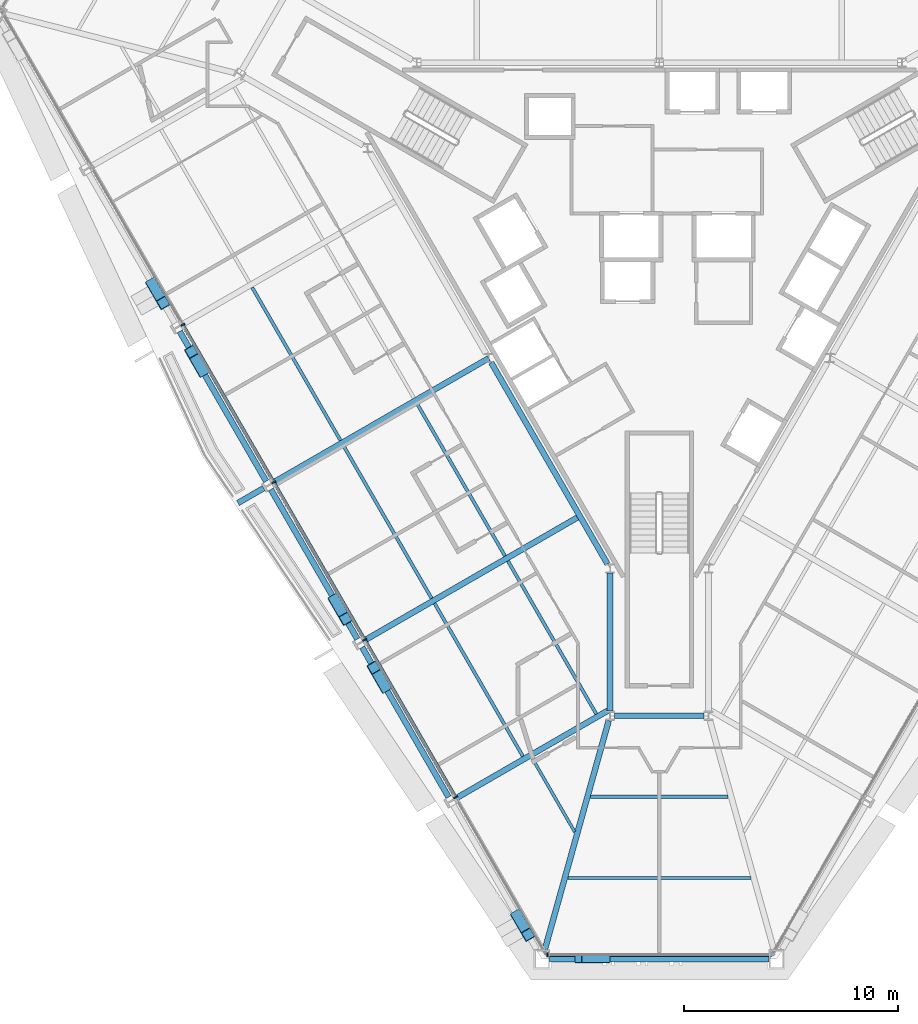
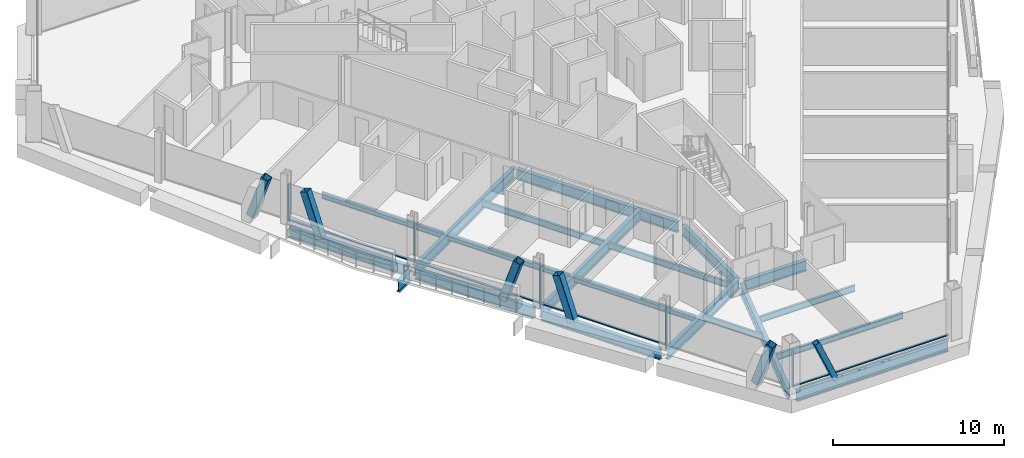
# One storey, part 3 of 18: 20 beams, 15 members, 2 elements without a shape of their own.
"""IFC4 building model written with IfcOpenShell, lengths in metres."""

from ifc_helpers import new_model, si_unit, direction, frame, origin, origin_2d, place, context, subcontext, project, spatial, rectangle, hollow_rectangle, i_section, extrude, material, material_profile, profile_set, type_object, element, aggregate, save


model = new_model("IFC4")

# Units and contexts
model_context = context("Model", 3, precision=1e-05, world=origin(), true_north=direction((0.0, 1.0)))
body_context = subcontext(model_context, "Body", "Model", "MODEL_VIEW")
ifc_project = project(units=[si_unit("LENGTHUNIT", "METRE"), si_unit("AREAUNIT", "SQUARE_METRE"), si_unit("VOLUMEUNIT", "CUBIC_METRE"), si_unit("PLANEANGLEUNIT", "RADIAN"), si_unit("MASSUNIT", "GRAM", prefix="KILO")], contexts=[model_context])

# Site, building, storey
site_placement = place(None, origin())
site = spatial("IfcSite", under=ifc_project, at=site_placement, CompositionType="ELEMENT")
building_placement = place(site_placement, origin())
building = spatial("IfcBuilding", under=site, at=building_placement, Name="Verrane Prism Tower", CompositionType="ELEMENT")
storey_placement = place(building_placement, frame((0.0, 0.0, 54.800048828125)))
storey = spatial("IfcBuildingStorey", under=building, at=storey_placement, Name="L11", CompositionType="ELEMENT", Elevation=54.800048828125)

# Member
ifc_material_1 = material(Name="Steel A500 Grade C", Category="steel")
ifc_material_profile_1 = material_profile(ifc_material_1, hollow_rectangle(XDim=0.355712890625, YDim=0.355712890625, WallThickness=0.0126953125, InnerFilletRadius=0.00634765625, OuterFilletRadius=0.01904296875, at=origin_2d()), Name="HSS14x14x1/2")
ifc_profile_set_1 = profile_set([ifc_material_profile_1], Name="Steel A500 Grade C")
member_type_1 = type_object("IfcMemberType", Name="Chamfer brace HSS14x14x1/2", PredefinedType="BRACE", material=ifc_profile_set_1)
member_1_placement = place(storey_placement, frame((-2.473876953125, -32.659912109375, -0.2451171875), z_axis=(-0.398207964627, 0.0, 0.91729516346), x_axis=(0.0, -1.0, 0.0)))
element("IfcMember", 1, at=member_1_placement, inside=storey, type_object=member_type_1, Name="Chamfer brace S0 L11", PredefinedType="BRACE", context=body_context, shape_type="SweptSolid", body=[
    extrude(hollow_rectangle(XDim=0.355712890625, YDim=0.355712890625, WallThickness=0.0126953125, InnerFilletRadius=0.00634765625, OuterFilletRadius=0.01904296875, at=origin_2d()), origin(), (0.0, 0.0, 1.0), 3.27392578125),
])

# Beams
ifc_material_2 = material(Name="Steel A992", Category="steel")
ifc_material_profile_2 = material_profile(ifc_material_2, i_section(OverallWidth=0.2666015625, OverallDepth=0.76708984375, WebThickness=0.014892578125, FlangeThickness=0.023681640625, FilletRadius=0.0166015625, at=origin_2d()), Name="W30x124")
ifc_profile_set_2 = profile_set([ifc_material_profile_2], Name="Steel A992")
beam_type_1 = type_object("IfcBeamType", Name="Chamfer spandrel beam W30x124", PredefinedType="SPANDREL", material=ifc_profile_set_2)
beam_1_placement = place(storey_placement, frame((-5.1201171875, -32.659912109375, -0.54345703125), z_axis=(1.0, 0.0, 0.0), x_axis=(0.0, 1.0, 0.0)))
element("IfcBeam", 2, at=beam_1_placement, inside=storey, type_object=beam_type_1, Name="Chamfer spandrel beam L11", PredefinedType="SPANDREL", context=body_context, shape_type="SweptSolid", body=[
    extrude(i_section(OverallWidth=0.2666015625, OverallDepth=0.76708984375, WebThickness=0.014892578125, FlangeThickness=0.023681640625, FilletRadius=0.0166015625, at=origin_2d()), origin(), (0.0, 0.0, 1.0), 10.240234375),
])
ifc_material_3 = material(Name="Steel A992", Category="steel")
ifc_material_profile_3 = material_profile(ifc_material_3, i_section(OverallWidth=0.2666015625, OverallDepth=0.7568359375, WebThickness=0.013916015625, FlangeThickness=0.019287109375, FilletRadius=0.0166015625, at=origin_2d()), Name="W30x108")
ifc_profile_set_3 = profile_set([ifc_material_profile_3], Name="Steel A992")
beam_type_2 = type_object("IfcBeamType", Name="Core ring girder W30x108", PredefinedType="BEAM", material=ifc_profile_set_3)
beam_2_placement = place(storey_placement, frame((-7.849609375, -4.808349609375, -0.628662109375), z_axis=(0.500013103396, -0.866017838403, 0.0), x_axis=(0.866017838403, 0.500013103396, 0.0)))
element("IfcBeam", 3, at=beam_2_placement, inside=storey, type_object=beam_type_2, Name="Core ring girder L11", PredefinedType="BEAM", context=body_context, shape_type="SweptSolid", body=[
    extrude(i_section(OverallWidth=0.2666015625, OverallDepth=0.7568359375, WebThickness=0.013916015625, FlangeThickness=0.019287109375, FilletRadius=0.0166015625, at=origin_2d()), origin(), (0.0, 0.0, 1.0), 10.858154296875),
])
beam_3_placement = place(storey_placement, frame((-2.300048828125, -14.62841796875, -0.628662109375), z_axis=(0.0, -1.0, 0.0), x_axis=(1.0, 0.0, 0.0)))
element("IfcBeam", 4, at=beam_3_placement, inside=storey, type_object=beam_type_2, Name="Core ring girder L11", PredefinedType="BEAM", context=body_context, shape_type="SweptSolid", body=[
    extrude(i_section(OverallWidth=0.2666015625, OverallDepth=0.7568359375, WebThickness=0.013916015625, FlangeThickness=0.019287109375, FilletRadius=0.0166015625, at=origin_2d()), origin(), (0.0, 0.0, 1.0), 6.4443359375),
])
beam_4_placement = place(storey_placement, frame((-2.09033203125, -21.300048828125, -0.628662109375), z_axis=(1.0, 0.0, 0.0), x_axis=(0.0, 1.0, 0.0)))
element("IfcBeam", 5, at=beam_4_placement, inside=storey, type_object=beam_type_2, Name="Core ring girder L11", PredefinedType="BEAM", context=body_context, shape_type="SweptSolid", body=[
    extrude(i_section(OverallWidth=0.2666015625, OverallDepth=0.7568359375, WebThickness=0.013916015625, FlangeThickness=0.019287109375, FilletRadius=0.0166015625, at=origin_2d()), origin(), (0.0, 0.0, 1.0), 4.1806640625),
])
ifc_material_4 = material(Name="Steel A992", Category="steel")
ifc_material_profile_4 = material_profile(ifc_material_4, i_section(OverallWidth=0.2666015625, OverallDepth=0.76708984375, WebThickness=0.014892578125, FlangeThickness=0.023681640625, FilletRadius=0.0166015625, at=origin_2d()), Name="W30x124")
ifc_profile_set_4 = profile_set([ifc_material_profile_4], Name="Steel A992")
beam_type_3 = type_object("IfcBeamType", Name="Corner girder W30x124", PredefinedType="BEAM", material=ifc_profile_set_4)
beam_5_placement = place(storey_placement, frame((-5.344482421875, -32.2099609375, -0.603515625), z_axis=(0.268799442753, 0.963196168792, 0.0), x_axis=(-0.963196168792, 0.268799442753, 0.0)))
element("IfcBeam", 6, at=beam_5_placement, inside=storey, type_object=beam_type_3, Name="Corner girder L11", PredefinedType="BEAM", context=body_context, shape_type="SweptSolid", body=[
    extrude(i_section(OverallWidth=0.2666015625, OverallDepth=0.76708984375, WebThickness=0.014892578125, FlangeThickness=0.023681640625, FilletRadius=0.0166015625, at=origin_2d()), origin(), (0.0, 0.0, 1.0), 11.0908203125),
])

# Members
ifc_material_5 = material(Name="Steel A1085 Grade A", Category="steel")
ifc_material_profile_5 = material_profile(ifc_material_5, hollow_rectangle(XDim=0.508056640625, YDim=0.508056640625, WallThickness=0.025390625, InnerFilletRadius=0.0126953125, OuterFilletRadius=0.0380859375, at=origin_2d()), Name="HSS20x20x1")
ifc_profile_set_5 = profile_set([ifc_material_profile_5], Name="Steel A1085 Grade A")
member_type_2 = type_object("IfcMemberType", Name="Facade brace HSS20x20x1", PredefinedType="BRACE", material=ifc_profile_set_5)
member_2_placement = place(storey_placement, frame((-23.67431640625, -1.13818359375, -0.24267578125), z_axis=(0.159767031091, -0.277401081894, 0.947376976467), x_axis=(0.866553211731, 0.499084693453, 0.0)))
element("IfcMember", 7, at=member_2_placement, inside=storey, type_object=member_type_2, Name="Facade brace SW1 L11", PredefinedType="BRACE", context=body_context, shape_type="SweptSolid", body=[
    extrude(hollow_rectangle(XDim=0.508056640625, YDim=0.508056640625, WallThickness=0.025390625, InnerFilletRadius=0.0126953125, OuterFilletRadius=0.0380859375, at=origin_2d()), origin(), (0.0, 0.0, 1.0), 3.17529296875),
])
member_3_placement = place(storey_placement, frame((-21.343017578125, -5.181884765625, -0.24267578125), z_axis=(-0.160063284951, 0.277458403165, 0.947310181157), x_axis=(-0.866197573001, -0.49970167553, 0.0)))
element("IfcMember", 8, at=member_3_placement, inside=storey, type_object=member_type_2, Name="Facade brace SW2 L11", PredefinedType="BRACE", context=body_context, shape_type="SweptSolid", body=[
    extrude(hollow_rectangle(XDim=0.508056640625, YDim=0.508056640625, WallThickness=0.025390625, InnerFilletRadius=0.0126953125, OuterFilletRadius=0.0380859375, at=origin_2d()), origin(), (0.0, 0.0, 1.0), 3.175537109375),
])
member_4_placement = place(storey_placement, frame((-15.156982421875, -15.890869140625, -0.24267578125), z_axis=(0.160083757599, -0.277032554577, 0.947431345406), x_axis=(0.865837313025, 0.500325641332, 0.0)))
element("IfcMember", 9, at=member_4_placement, inside=storey, type_object=member_type_2, Name="Facade brace SW3 L11", PredefinedType="BRACE", context=body_context, shape_type="SweptSolid", body=[
    extrude(hollow_rectangle(XDim=0.508056640625, YDim=0.508056640625, WallThickness=0.025390625, InnerFilletRadius=0.0126953125, OuterFilletRadius=0.0380859375, at=origin_2d()), origin(), (0.0, 0.0, 1.0), 3.17529296875),
])
member_5_placement = place(storey_placement, frame((-12.822998046875, -19.931884765625, -0.24267578125), z_axis=(-0.160063284951, 0.277458403165, 0.947310181157), x_axis=(-0.866197573001, -0.49970167553, 0.0)))
element("IfcMember", 10, at=member_5_placement, inside=storey, type_object=member_type_2, Name="Facade brace SW4 L11", PredefinedType="BRACE", context=body_context, shape_type="SweptSolid", body=[
    extrude(hollow_rectangle(XDim=0.508056640625, YDim=0.508056640625, WallThickness=0.025390625, InnerFilletRadius=0.0126953125, OuterFilletRadius=0.0380859375, at=origin_2d()), origin(), (0.0, 0.0, 1.0), 3.175537109375),
])
member_6_placement = place(storey_placement, frame((-6.63720703125, -30.640869140625, -0.24267578125), z_axis=(0.160158675198, -0.277029143898, 0.947419681129), x_axis=(0.86573320432, 0.500505763141, 0.0)))
element("IfcMember", 11, at=member_6_placement, inside=storey, type_object=member_type_2, Name="Facade brace SW5 L11", PredefinedType="BRACE", context=body_context, shape_type="SweptSolid", body=[
    extrude(hollow_rectangle(XDim=0.508056640625, YDim=0.508056640625, WallThickness=0.025390625, InnerFilletRadius=0.0126953125, OuterFilletRadius=0.0380859375, at=origin_2d()), origin(), (0.0, 0.0, 1.0), 3.17529296875),
])

# Beams
ifc_material_6 = material(Name="Steel A992", Category="steel")
ifc_material_profile_6 = material_profile(ifc_material_6, i_section(OverallWidth=0.140380859375, OverallDepth=0.40380859375, WebThickness=0.007080078125, FlangeThickness=0.01123046875, FilletRadius=0.01025390625, at=origin_2d()), Name="W16x31")
ifc_profile_set_6 = profile_set([ifc_material_profile_6], Name="Steel A992")
beam_type_4 = type_object("IfcBeamType", Name="Floor beam W16x31", PredefinedType="BEAM", material=ifc_profile_set_6)
beam_6_placement = place(storey_placement, frame((-3.950927734375, -26.719970703125, -0.362060546875), z_axis=(-0.499997556188, 0.866026814715, 0.0), x_axis=(-0.866026814715, -0.499997556188, 0.0)))
element("IfcBeam", 12, at=beam_6_placement, inside=storey, type_object=beam_type_4, Name="Floor beam L11", PredefinedType="BEAM", context=body_context, shape_type="SweptSolid", body=[
    extrude(i_section(OverallWidth=0.140380859375, OverallDepth=0.40380859375, WebThickness=0.007080078125, FlangeThickness=0.01123046875, FilletRadius=0.01025390625, at=origin_2d()), origin(), (0.0, 0.0, 1.0), 3.99462890625),
])
ifc_material_7 = material(Name="Steel A992", Category="steel")
ifc_material_profile_7 = material_profile(ifc_material_7, i_section(OverallWidth=0.15234375, OverallDepth=0.449462890625, WebThickness=0.007568359375, FlangeThickness=0.0107421875, FilletRadius=0.01025390625, at=origin_2d()), Name="W18x35")
ifc_profile_set_7 = profile_set([ifc_material_profile_7], Name="Steel A992")
beam_type_5 = type_object("IfcBeamType", Name="Floor beam W18x35", PredefinedType="BEAM", material=ifc_profile_set_7)
beam_7_placement = place(storey_placement, frame((-14.887451171875, -8.44287109375, -0.384765625), z_axis=(-0.499992194788, 0.866029910079, 0.0), x_axis=(-0.866029910079, -0.499992194788, 0.0)))
element("IfcBeam", 13, at=beam_7_placement, inside=storey, type_object=beam_type_5, Name="Floor beam L11", PredefinedType="BEAM", context=body_context, shape_type="SweptSolid", body=[
    extrude(i_section(OverallWidth=0.15234375, OverallDepth=0.449462890625, WebThickness=0.007568359375, FlangeThickness=0.0107421875, FilletRadius=0.01025390625, at=origin_2d()), origin(), (0.0, 0.0, 1.0), 8.252685546875),
])
beam_8_placement = place(storey_placement, frame((-7.2041015625, -13.841552734375, -0.384765625), z_axis=(-0.499999059579, 0.866025946736, 0.0), x_axis=(-0.866025946736, -0.499999059579, 0.0)))
element("IfcBeam", 14, at=beam_8_placement, inside=storey, type_object=beam_type_5, Name="Floor beam L11", PredefinedType="BEAM", context=body_context, shape_type="SweptSolid", body=[
    extrude(i_section(OverallWidth=0.15234375, OverallDepth=0.449462890625, WebThickness=0.007568359375, FlangeThickness=0.0107421875, FilletRadius=0.01025390625, at=origin_2d()), origin(), (0.0, 0.0, 1.0), 8.25146484375),
])
beam_9_placement = place(storey_placement, frame((-10.63232421875, -15.819091796875, -0.384765625), z_axis=(-0.499994031393, 0.866028849734, 0.0), x_axis=(-0.866028849734, -0.499994031393, 0.0)))
element("IfcBeam", 15, at=beam_9_placement, inside=storey, type_object=beam_type_5, Name="Floor beam L11", PredefinedType="BEAM", context=body_context, shape_type="SweptSolid", body=[
    extrude(i_section(OverallWidth=0.15234375, OverallDepth=0.449462890625, WebThickness=0.007568359375, FlangeThickness=0.0107421875, FilletRadius=0.01025390625, at=origin_2d()), origin(), (0.0, 0.0, 1.0), 8.24853515625),
])
beam_10_placement = place(storey_placement, frame((-2.944091796875, -21.2177734375, -0.384765625), z_axis=(-0.499989680267, 0.866031361803, 0.0), x_axis=(-0.866031361803, -0.499989680267, 0.0)))
element("IfcBeam", 16, at=beam_10_placement, inside=storey, type_object=beam_type_5, Name="Floor beam L11", PredefinedType="BEAM", context=body_context, shape_type="SweptSolid", body=[
    extrude(i_section(OverallWidth=0.15234375, OverallDepth=0.449462890625, WebThickness=0.007568359375, FlangeThickness=0.0107421875, FilletRadius=0.01025390625, at=origin_2d()), origin(), (0.0, 0.0, 1.0), 8.251220703125),
])
beam_11_placement = place(storey_placement, frame((-6.370361328125, -23.196044921875, -0.384765625), z_axis=(-0.499992194788, 0.866029910079, 0.0), x_axis=(-0.866029910079, -0.499992194788, 0.0)))
element("IfcBeam", 17, at=beam_11_placement, inside=storey, type_object=beam_type_5, Name="Floor beam L11", PredefinedType="BEAM", context=body_context, shape_type="SweptSolid", body=[
    extrude(i_section(OverallWidth=0.15234375, OverallDepth=0.449462890625, WebThickness=0.007568359375, FlangeThickness=0.0107421875, FilletRadius=0.01025390625, at=origin_2d()), origin(), (0.0, 0.0, 1.0), 8.252685546875),
])
beam_12_placement = place(storey_placement, frame((-4.274658203125, -28.873291015625, -0.384765625), z_axis=(1.0, 0.0, 0.0), x_axis=(0.0, 1.0, 0.0)))
element("IfcBeam", 18, at=beam_12_placement, inside=storey, type_object=beam_type_5, Name="Floor beam L11", PredefinedType="BEAM", context=body_context, shape_type="SweptSolid", body=[
    extrude(i_section(OverallWidth=0.15234375, OverallDepth=0.449462890625, WebThickness=0.007568359375, FlangeThickness=0.0107421875, FilletRadius=0.01025390625, at=origin_2d()), origin(), (0.0, 0.0, 1.0), 8.54931640625),
])
beam_13_placement = place(storey_placement, frame((-3.218017578125, -25.086669921875, -0.384765625), z_axis=(1.0, 0.0, 0.0), x_axis=(0.0, 1.0, 0.0)))
element("IfcBeam", 19, at=beam_13_placement, inside=storey, type_object=beam_type_5, Name="Floor beam L11", PredefinedType="BEAM", context=body_context, shape_type="SweptSolid", body=[
    extrude(i_section(OverallWidth=0.15234375, OverallDepth=0.449462890625, WebThickness=0.007568359375, FlangeThickness=0.0107421875, FilletRadius=0.01025390625, at=origin_2d()), origin(), (0.0, 0.0, 1.0), 6.43603515625),
])

# Curtain wall, members
ifc_material_8 = material(Name="Aluminium framed insulated glazing", Category="aluminium")
curtain_wall_type = type_object("IfcCurtainWallType", Name="Curtain wall CW-A 8400 module", PredefinedType="NOTDEFINED", material=ifc_material_8)
curtain_wall_1_placement = place(storey_placement, origin())
curtain_wall_1 = element("IfcCurtainWall", 20, at=curtain_wall_1_placement, inside=storey, type_object=curtain_wall_type, Name="Glazed curtain wall south-west face L11", PredefinedType="NOTDEFINED")
ifc_material_9 = material(Name="Aluminium alloy 6063-T6", Category="aluminium")
ifc_material_profile_8 = material_profile(ifc_material_9, rectangle(XDim=0.199951171875, YDim=0.070068359375, at=origin_2d()), Name="Mullion 70x200 aluminium")
ifc_profile_set_8 = profile_set([ifc_material_profile_8], Name="Aluminium alloy 6063-T6")
member_type_3 = type_object("IfcMemberType", Name="Mullion 70x200 aluminium", PredefinedType="MULLION", material=ifc_profile_set_8)
member_7_placement = place(storey_placement, frame((-22.25146484375, -3.04150390625, 0.0), z_axis=(0.0, 0.0, 1.0), x_axis=(0.866025694591, 0.499999496308, 0.0)))
member_7 = element("IfcMember", 21, at=member_7_placement, type_object=member_type_3, Name="CW09.4 mullion 3", PredefinedType="MULLION", context=body_context, shape_type="SweptSolid", body=[
    extrude(rectangle(XDim=0.199951171875, YDim=0.070068359375, at=origin_2d()), origin(), (0.0, 0.0, 1.0), 2.61279296875),
])
member_8_placement = place(storey_placement, frame((-18.005615234375, -10.3955078125, 0.0), z_axis=(0.0, 0.0, 1.0), x_axis=(0.866025694591, 0.499999496308, 0.0)))
member_8 = element("IfcMember", 22, at=member_8_placement, type_object=member_type_3, Name="CW09.4 mullion 4", PredefinedType="MULLION", context=body_context, shape_type="SweptSolid", body=[
    extrude(rectangle(XDim=0.199951171875, YDim=0.070068359375, at=origin_2d()), origin(), (0.0, 0.0, 1.0), 2.61279296875),
])
member_9_placement = place(storey_placement, frame((-13.759521484375, -17.74951171875, 0.0), z_axis=(0.0, 0.0, 1.0), x_axis=(0.866025694591, 0.499999496308, 0.0)))
member_9 = element("IfcMember", 23, at=member_9_placement, type_object=member_type_3, Name="CW09.4 mullion 5", PredefinedType="MULLION", context=body_context, shape_type="SweptSolid", body=[
    extrude(rectangle(XDim=0.199951171875, YDim=0.070068359375, at=origin_2d()), origin(), (0.0, 0.0, 1.0), 2.61279296875),
])
member_10_placement = place(storey_placement, frame((-9.513671875, -25.103515625, 0.0), z_axis=(0.0, 0.0, 1.0), x_axis=(0.866025694591, 0.499999496308, 0.0)))
member_10 = element("IfcMember", 24, at=member_10_placement, type_object=member_type_3, Name="CW09.4 mullion 6", PredefinedType="MULLION", context=body_context, shape_type="SweptSolid", body=[
    extrude(rectangle(XDim=0.199951171875, YDim=0.070068359375, at=origin_2d()), origin(), (0.0, 0.0, 1.0), 2.61279296875),
])

# Curtain wall, member
curtain_wall_2_placement = place(storey_placement, origin())
curtain_wall_2 = element("IfcCurtainWall", 25, at=curtain_wall_2_placement, inside=storey, type_object=curtain_wall_type, Name="Glazed curtain wall south corner L11", PredefinedType="NOTDEFINED")
member_11_placement = place(storey_placement, frame((-5.23291015625, -32.457763671875, 0.0), z_axis=(0.0, 0.0, 1.0), x_axis=(0.0, 1.0, 0.0)))
member_11 = element("IfcMember", 26, at=member_11_placement, type_object=member_type_3, Name="CW09.5 mullion 1", PredefinedType="MULLION", context=body_context, shape_type="SweptSolid", body=[
    extrude(rectangle(XDim=0.199951171875, YDim=0.070068359375, at=origin_2d()), origin(), (0.0, 0.0, 1.0), 2.61279296875),
])

# Beams
ifc_material_10 = material(Name="Steel A992", Category="steel")
ifc_material_profile_9 = material_profile(ifc_material_10, i_section(OverallWidth=0.2666015625, OverallDepth=0.76708984375, WebThickness=0.014892578125, FlangeThickness=0.023681640625, FilletRadius=0.0166015625, at=origin_2d()), Name="W30x124")
ifc_profile_set_9 = profile_set([ifc_material_profile_9], Name="Steel A992")
beam_type_6 = type_object("IfcBeamType", Name="Radial girder W30x124", PredefinedType="BEAM", material=ifc_profile_set_9)
beam_14_placement = place(storey_placement, frame((-18.02001953125, -10.4072265625, -0.603515625), z_axis=(0.866018505729, 0.500011947592, 0.0), x_axis=(-0.500011947592, 0.866018505729, 0.0)))
element("IfcBeam", 27, at=beam_14_placement, inside=storey, type_object=beam_type_6, Name="Radial girder L11", PredefinedType="BEAM", context=body_context, shape_type="SweptSolid", body=[
    extrude(i_section(OverallWidth=0.2666015625, OverallDepth=0.76708984375, WebThickness=0.014892578125, FlangeThickness=0.023681640625, FilletRadius=0.0166015625, at=origin_2d()), origin(), (0.0, 0.0, 1.0), 11.607177734375),
])
beam_15_placement = place(storey_placement, frame((-13.760009765625, -17.77734375, -0.603515625), z_axis=(0.86601774804, 0.500013259905, 0.0), x_axis=(-0.500013259905, 0.86601774804, 0.0)))
element("IfcBeam", 28, at=beam_15_placement, inside=storey, type_object=beam_type_6, Name="Radial girder L11", PredefinedType="BEAM", context=body_context, shape_type="SweptSolid", body=[
    extrude(i_section(OverallWidth=0.2666015625, OverallDepth=0.76708984375, WebThickness=0.014892578125, FlangeThickness=0.023681640625, FilletRadius=0.0166015625, at=origin_2d()), origin(), (0.0, 0.0, 1.0), 11.603271484375),
])
beam_16_placement = place(storey_placement, frame((-9.5, -25.1572265625, -0.603515625), z_axis=(0.86602078527, 0.500007999416, 0.0), x_axis=(-0.500007999416, 0.86602078527, 0.0)))
element("IfcBeam", 29, at=beam_16_placement, inside=storey, type_object=beam_type_6, Name="Radial girder L11", PredefinedType="BEAM", context=body_context, shape_type="SweptSolid", body=[
    extrude(i_section(OverallWidth=0.2666015625, OverallDepth=0.76708984375, WebThickness=0.014892578125, FlangeThickness=0.023681640625, FilletRadius=0.0166015625, at=origin_2d()), origin(), (0.0, 0.0, 1.0), 8.313720703125),
])
beam_17_placement = place(storey_placement, frame((-18.476318359375, -10.670654296875, -0.603515625), z_axis=(-0.866036123695, -0.499981432111, 0.0), x_axis=(0.499981432111, -0.866036123695, 0.0)))
element("IfcBeam", 30, at=beam_17_placement, inside=storey, type_object=beam_type_6, Name="Cantilever girder L11", PredefinedType="BEAM", context=body_context, shape_type="SweptSolid", body=[
    extrude(i_section(OverallWidth=0.2666015625, OverallDepth=0.76708984375, WebThickness=0.014892578125, FlangeThickness=0.023681640625, FilletRadius=0.0166015625, at=origin_2d()), origin(), (0.0, 0.0, 1.0), 1.38720703125),
])
ifc_material_11 = material(Name="Steel A992", Category="steel")
ifc_material_profile_10 = material_profile(ifc_material_11, i_section(OverallWidth=0.2666015625, OverallDepth=0.7568359375, WebThickness=0.013916015625, FlangeThickness=0.019287109375, FilletRadius=0.0166015625, at=origin_2d()), Name="W30x108")
ifc_profile_set_10 = profile_set([ifc_material_profile_10], Name="Steel A992")
beam_type_7 = type_object("IfcBeamType", Name="Spandrel beam W30x108", PredefinedType="SPANDREL", material=ifc_profile_set_10)
beam_18_placement = place(storey_placement, frame((-22.3994140625, -3.351318359375, -0.53857421875), z_axis=(0.499899459246, -0.866083443235, 0.0), x_axis=(0.866083443235, 0.499899459246, 0.0)))
element("IfcBeam", 31, at=beam_18_placement, inside=storey, type_object=beam_type_7, Name="Spandrel beam L11", PredefinedType="SPANDREL", context=body_context, shape_type="SweptSolid", body=[
    extrude(i_section(OverallWidth=0.2666015625, OverallDepth=0.7568359375, WebThickness=0.013916015625, FlangeThickness=0.019287109375, FilletRadius=0.0166015625, at=origin_2d()), origin(), (0.0, 0.0, 1.0), 8.079345703125),
])
beam_19_placement = place(storey_placement, frame((-18.139404296875, -10.731201171875, -0.53857421875), z_axis=(0.500423240289, -0.865780907955, 0.0), x_axis=(0.865780907955, 0.500423240289, 0.0)))
element("IfcBeam", 32, at=beam_19_placement, inside=storey, type_object=beam_type_7, Name="Spandrel beam L11", PredefinedType="SPANDREL", context=body_context, shape_type="SweptSolid", body=[
    extrude(i_section(OverallWidth=0.2666015625, OverallDepth=0.7568359375, WebThickness=0.013916015625, FlangeThickness=0.019287109375, FilletRadius=0.0166015625, at=origin_2d()), origin(), (0.0, 0.0, 1.0), 8.07080078125),
])
beam_20_placement = place(storey_placement, frame((-13.87939453125, -18.101318359375, -0.53857421875), z_axis=(0.499899459246, -0.866083443235, 0.0), x_axis=(0.866083443235, 0.499899459246, 0.0)))
element("IfcBeam", 33, at=beam_20_placement, inside=storey, type_object=beam_type_7, Name="Spandrel beam L11", PredefinedType="SPANDREL", context=body_context, shape_type="SweptSolid", body=[
    extrude(i_section(OverallWidth=0.2666015625, OverallDepth=0.7568359375, WebThickness=0.013916015625, FlangeThickness=0.019287109375, FilletRadius=0.0166015625, at=origin_2d()), origin(), (0.0, 0.0, 1.0), 8.079345703125),
])

# Member
ifc_material_12 = material(Name="Aluminium alloy 6063-T6", Category="aluminium")
ifc_material_profile_11 = material_profile(ifc_material_12, rectangle(XDim=0.14990234375, YDim=0.070068359375, at=origin_2d()), Name="Transom 70x150 aluminium")
ifc_profile_set_11 = profile_set([ifc_material_profile_11], Name="Aluminium alloy 6063-T6")
member_type_4 = type_object("IfcMemberType", Name="Transom 70x150 aluminium", PredefinedType="USERDEFINED", material=ifc_profile_set_11)
member_12_placement = place(storey_placement, frame((-22.23388671875, -3.07177734375, 0.034912109375), z_axis=(0.500005175824, -0.866022415501, 0.0), x_axis=(0.866022415501, 0.500005175824, 0.0)))
member_12 = element("IfcMember", 34, at=member_12_placement, type_object=member_type_4, Name="CW09.4 transom 3", ObjectType="TRANSOM", PredefinedType="USERDEFINED", context=body_context, shape_type="SweptSolid", body=[
    extrude(rectangle(XDim=0.14990234375, YDim=0.070068359375, at=origin_2d()), origin(), (0.0, 0.0, 1.0), 8.421875),
])

member_13_placement = place(storey_placement, frame((-17.988037109375, -10.42578125, 0.034912109375), z_axis=(0.500005175824, -0.866022415501, 0.0), x_axis=(0.866022415501, 0.500005175824, 0.0)))
member_13 = element("IfcMember", 35, at=member_13_placement, type_object=member_type_4, Name="CW09.4 transom 4", ObjectType="TRANSOM", PredefinedType="USERDEFINED", context=body_context, shape_type="SweptSolid", body=[
    extrude(rectangle(XDim=0.14990234375, YDim=0.070068359375, at=origin_2d()), origin(), (0.0, 0.0, 1.0), 8.421875),
])

member_14_placement = place(storey_placement, frame((-13.7421875, -17.77978515625, 0.034912109375), z_axis=(0.500005175824, -0.866022415501, 0.0), x_axis=(0.866022415501, 0.500005175824, 0.0)))
member_14 = element("IfcMember", 36, at=member_14_placement, type_object=member_type_4, Name="CW09.4 transom 5", ObjectType="TRANSOM", PredefinedType="USERDEFINED", context=body_context, shape_type="SweptSolid", body=[
    extrude(rectangle(XDim=0.14990234375, YDim=0.070068359375, at=origin_2d()), origin(), (0.0, 0.0, 1.0), 8.421875),
])

aggregate(curtain_wall_1, [member_7, member_8, member_9, member_10, member_12, member_13, member_14])

member_15_placement = place(storey_placement, frame((-5.197998046875, -32.457763671875, 0.034912109375), z_axis=(1.0, 0.0, 0.0), x_axis=(0.0, 1.0, 0.0)))
member_15 = element("IfcMember", 37, at=member_15_placement, type_object=member_type_4, Name="CW09.5 transom 1", ObjectType="TRANSOM", PredefinedType="USERDEFINED", context=body_context, shape_type="SweptSolid", body=[
    extrude(rectangle(XDim=0.14990234375, YDim=0.070068359375, at=origin_2d()), origin(), (0.0, 0.0, 1.0), 10.4658203125),
])

aggregate(curtain_wall_2, [member_11, member_15])

save(model, "model.ifc")
